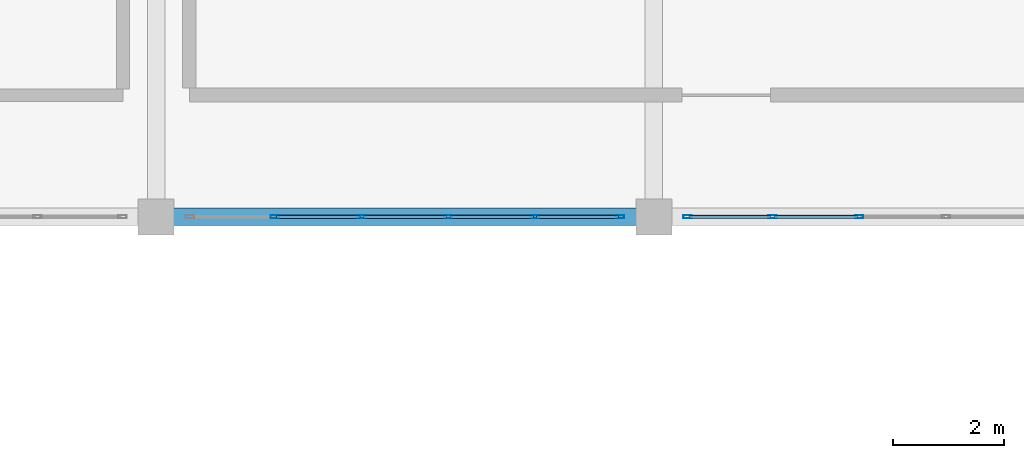
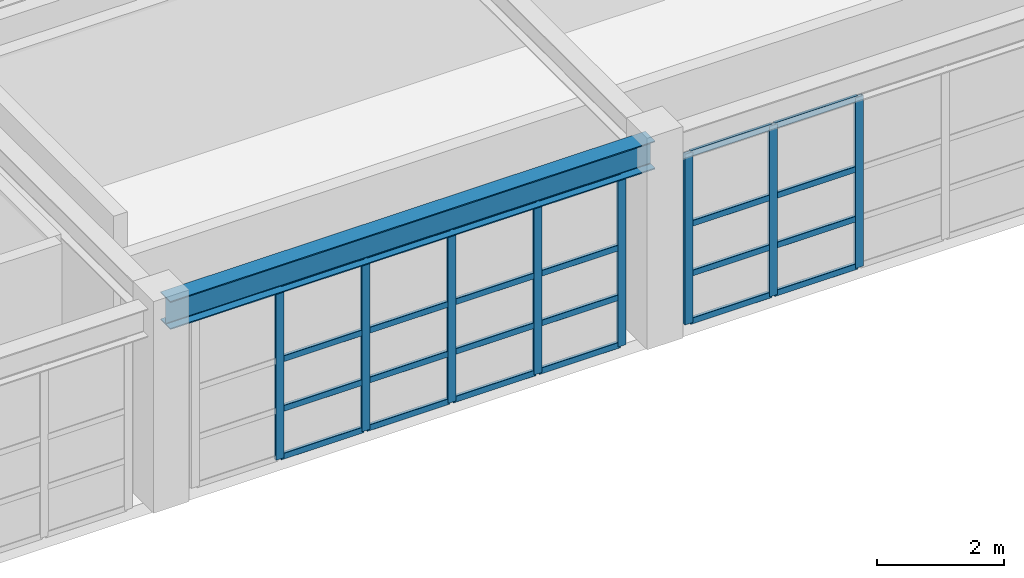
# One storey, part 67 of 110: 32 members, 1 beam, 2 elements without a shape of their own.
"""IFC4 building model written with IfcOpenShell, lengths in metres."""

from ifc_helpers import new_model, si_unit, direction, frame, origin, origin_2d, place, context, subcontext, project, spatial, hollow_rectangle, i_section, extrude, material, material_profile, profile_set, type_object, element, aggregate, save


model = new_model("IFC4")

# Units and contexts
model_context = context("Model", 3, precision=1e-05, world=origin(), true_north=direction((0.0, 1.0)))
body_context = subcontext(model_context, "Body", "Model", "MODEL_VIEW")
ifc_project = project(units=[si_unit("LENGTHUNIT", "METRE"), si_unit("AREAUNIT", "SQUARE_METRE"), si_unit("VOLUMEUNIT", "CUBIC_METRE"), si_unit("PLANEANGLEUNIT", "RADIAN"), si_unit("MASSUNIT", "GRAM", prefix="KILO")], contexts=[model_context])

# Site, building, storey
site_placement = place(None, origin())
site = spatial("IfcSite", under=ifc_project, at=site_placement, CompositionType="ELEMENT")
building_placement = place(site_placement, origin())
building = spatial("IfcBuilding", under=site, at=building_placement, Name="Miravela Opera House", CompositionType="ELEMENT")
storey_placement = place(building_placement, frame((0.0, 0.0, 13.60009765625)))
storey = spatial("IfcBuildingStorey", under=building, at=storey_placement, Name="L03", CompositionType="ELEMENT", Elevation=13.60009765625)

# Curtain wall, members
ifc_material_1 = material(Name="Anodised architectural bronze aluminium 6063-T6", Category="aluminium")
curtain_wall_type = type_object("IfcCurtainWallType", Name="ARC-CW-05", PredefinedType="NOTDEFINED", material=ifc_material_1)
curtain_wall_1_placement = place(storey_placement, origin())
curtain_wall_1 = element("IfcCurtainWall", 1, at=curtain_wall_1_placement, inside=storey, type_object=curtain_wall_type, Name="Courtyard Arcade Curtain Wall CW-L03-106", PredefinedType="NOTDEFINED")
ifc_material_profile_1 = material_profile(ifc_material_1, hollow_rectangle(XDim=0.06005859375, YDim=0.14990234375, WallThickness=0.00390625, InnerFilletRadius=0.001953125, OuterFilletRadius=0.00390625, at=origin_2d()), Name="CWM-60X150")
ifc_profile_set_1 = profile_set([ifc_material_profile_1])
member_type_1 = type_object("IfcMemberType", Name="ARC-CWM-150", PredefinedType="MULLION", material=ifc_profile_set_1)
member_1_placement = place(storey_placement, frame((47.14794921875, 103.0, 0.0), z_axis=(0.0, 0.0, 1.0), x_axis=(0.0, 1.0, 0.0)))
member_1 = element("IfcMember", 2, at=member_1_placement, type_object=member_type_1, Name="CW-05 mullion 2", PredefinedType="MULLION", context=body_context, shape_type="SweptSolid", body=[
    extrude(hollow_rectangle(XDim=0.06005859375, YDim=0.14990234375, WallThickness=0.00390625, InnerFilletRadius=0.001953125, OuterFilletRadius=0.00390625, at=origin_2d()), origin(), (0.0, 0.0, 1.0), 3.289794921875),
])
member_2_placement = place(storey_placement, frame((48.716064453125, 103.0, 0.0), z_axis=(0.0, 0.0, 1.0), x_axis=(0.0, 1.0, 0.0)))
member_2 = element("IfcMember", 3, at=member_2_placement, type_object=member_type_1, Name="CW-05 mullion 3", PredefinedType="MULLION", context=body_context, shape_type="SweptSolid", body=[
    extrude(hollow_rectangle(XDim=0.06005859375, YDim=0.14990234375, WallThickness=0.00390625, InnerFilletRadius=0.001953125, OuterFilletRadius=0.00390625, at=origin_2d()), origin(), (0.0, 0.0, 1.0), 3.289794921875),
])
member_3_placement = place(storey_placement, frame((50.283935546875, 103.0, 0.0), z_axis=(0.0, 0.0, 1.0), x_axis=(0.0, 1.0, 0.0)))
member_3 = element("IfcMember", 4, at=member_3_placement, type_object=member_type_1, Name="CW-05 mullion 4", PredefinedType="MULLION", context=body_context, shape_type="SweptSolid", body=[
    extrude(hollow_rectangle(XDim=0.06005859375, YDim=0.14990234375, WallThickness=0.00390625, InnerFilletRadius=0.001953125, OuterFilletRadius=0.00390625, at=origin_2d()), origin(), (0.0, 0.0, 1.0), 3.289794921875),
])
member_4_placement = place(storey_placement, frame((51.85205078125, 103.0, 0.0), z_axis=(0.0, 0.0, 1.0), x_axis=(0.0, 1.0, 0.0)))
member_4 = element("IfcMember", 5, at=member_4_placement, type_object=member_type_1, Name="CW-05 mullion 5", PredefinedType="MULLION", context=body_context, shape_type="SweptSolid", body=[
    extrude(hollow_rectangle(XDim=0.06005859375, YDim=0.14990234375, WallThickness=0.00390625, InnerFilletRadius=0.001953125, OuterFilletRadius=0.00390625, at=origin_2d()), origin(), (0.0, 0.0, 1.0), 3.289794921875),
])
member_5_placement = place(storey_placement, frame((53.389892578125, 103.0, 0.0), z_axis=(0.0, 0.0, 1.0), x_axis=(0.0, 1.0, 0.0)))
member_5 = element("IfcMember", 6, at=member_5_placement, type_object=member_type_1, Name="CW-05 mullion 6", PredefinedType="MULLION", context=body_context, shape_type="SweptSolid", body=[
    extrude(hollow_rectangle(XDim=0.06005859375, YDim=0.14990234375, WallThickness=0.00390625, InnerFilletRadius=0.001953125, OuterFilletRadius=0.00390625, at=origin_2d()), origin(), (0.0, 0.0, 1.0), 3.289794921875),
])

curtain_wall_2_placement = place(storey_placement, origin())
curtain_wall_2 = element("IfcCurtainWall", 7, at=curtain_wall_2_placement, inside=storey, type_object=curtain_wall_type, Name="Courtyard Arcade Curtain Wall CW-L03-108", PredefinedType="NOTDEFINED")
member_6_placement = place(storey_placement, frame((54.610107421875, 103.0, 0.0), z_axis=(0.0, 0.0, 1.0), x_axis=(0.0, 1.0, 0.0)))
member_6 = element("IfcMember", 8, at=member_6_placement, type_object=member_type_1, Name="CW-05 mullion 1", PredefinedType="MULLION", context=body_context, shape_type="SweptSolid", body=[
    extrude(hollow_rectangle(XDim=0.06005859375, YDim=0.14990234375, WallThickness=0.00390625, InnerFilletRadius=0.001953125, OuterFilletRadius=0.00390625, at=origin_2d()), origin(), (0.0, 0.0, 1.0), 3.289794921875),
])
member_7_placement = place(storey_placement, frame((56.14794921875, 103.0, 0.0), z_axis=(0.0, 0.0, 1.0), x_axis=(0.0, 1.0, 0.0)))
member_7 = element("IfcMember", 9, at=member_7_placement, type_object=member_type_1, Name="CW-05 mullion 2", PredefinedType="MULLION", context=body_context, shape_type="SweptSolid", body=[
    extrude(hollow_rectangle(XDim=0.06005859375, YDim=0.14990234375, WallThickness=0.00390625, InnerFilletRadius=0.001953125, OuterFilletRadius=0.00390625, at=origin_2d()), origin(), (0.0, 0.0, 1.0), 3.289794921875),
])
member_8_placement = place(storey_placement, frame((57.716064453125, 103.0, 0.0), z_axis=(0.0, 0.0, 1.0), x_axis=(0.0, 1.0, 0.0)))
member_8 = element("IfcMember", 10, at=member_8_placement, type_object=member_type_1, Name="CW-05 mullion 3", PredefinedType="MULLION", context=body_context, shape_type="SweptSolid", body=[
    extrude(hollow_rectangle(XDim=0.06005859375, YDim=0.14990234375, WallThickness=0.00390625, InnerFilletRadius=0.001953125, OuterFilletRadius=0.00390625, at=origin_2d()), origin(), (0.0, 0.0, 1.0), 3.289794921875),
])

# Member
ifc_material_profile_2 = material_profile(ifc_material_1, hollow_rectangle(XDim=0.06005859375, YDim=0.114990234375, WallThickness=0.00390625, InnerFilletRadius=0.001953125, OuterFilletRadius=0.00390625, at=origin_2d()), Name="CWT-60X115")
ifc_profile_set_2 = profile_set([ifc_material_profile_2])
member_type_2 = type_object("IfcMemberType", Name="ARC-CWT-115", PredefinedType="USERDEFINED", material=ifc_profile_set_2)
member_9_placement = place(storey_placement, frame((47.177978515625, 103.0, 0.02978515625), z_axis=(1.0, 0.0, 0.0), x_axis=(0.0, 1.0, 0.0)))
member_9 = element("IfcMember", 11, at=member_9_placement, type_object=member_type_2, Name="CW-05 transom 2.1", ObjectType="TRANSOM", PredefinedType="USERDEFINED", context=body_context, shape_type="SweptSolid", body=[
    extrude(hollow_rectangle(XDim=0.06005859375, YDim=0.114990234375, WallThickness=0.00390625, InnerFilletRadius=0.001953125, OuterFilletRadius=0.00390625, at=origin_2d()), origin(), (0.0, 0.0, 1.0), 1.508056640625),
])

member_10_placement = place(storey_placement, frame((47.177978515625, 103.0, 0.949951171875), z_axis=(1.0, 0.0, 0.0), x_axis=(0.0, 1.0, 0.0)))
member_10 = element("IfcMember", 12, at=member_10_placement, type_object=member_type_2, Name="CW-05 transom 2.2", ObjectType="TRANSOM", PredefinedType="USERDEFINED", context=body_context, shape_type="SweptSolid", body=[
    extrude(hollow_rectangle(XDim=0.06005859375, YDim=0.114990234375, WallThickness=0.00390625, InnerFilletRadius=0.001953125, OuterFilletRadius=0.00390625, at=origin_2d()), origin(), (0.0, 0.0, 1.0), 1.508056640625),
])

member_11_placement = place(storey_placement, frame((47.177978515625, 103.0, 1.908203125), z_axis=(1.0, 0.0, 0.0), x_axis=(0.0, 1.0, 0.0)))
member_11 = element("IfcMember", 13, at=member_11_placement, type_object=member_type_2, Name="CW-05 transom 2.3", ObjectType="TRANSOM", PredefinedType="USERDEFINED", context=body_context, shape_type="SweptSolid", body=[
    extrude(hollow_rectangle(XDim=0.06005859375, YDim=0.114990234375, WallThickness=0.00390625, InnerFilletRadius=0.001953125, OuterFilletRadius=0.00390625, at=origin_2d()), origin(), (0.0, 0.0, 1.0), 1.508056640625),
])

member_12_placement = place(storey_placement, frame((47.177978515625, 103.0, 3.260009765625), z_axis=(1.0, 0.0, 0.0), x_axis=(0.0, 1.0, 0.0)))
member_12 = element("IfcMember", 14, at=member_12_placement, type_object=member_type_2, Name="CW-05 transom 2.4", ObjectType="TRANSOM", PredefinedType="USERDEFINED", context=body_context, shape_type="SweptSolid", body=[
    extrude(hollow_rectangle(XDim=0.06005859375, YDim=0.114990234375, WallThickness=0.00390625, InnerFilletRadius=0.001953125, OuterFilletRadius=0.00390625, at=origin_2d()), origin(), (0.0, 0.0, 1.0), 1.508056640625),
])

member_13_placement = place(storey_placement, frame((48.74609375, 103.0, 0.02978515625), z_axis=(1.0, 0.0, 0.0), x_axis=(0.0, 1.0, 0.0)))
member_13 = element("IfcMember", 15, at=member_13_placement, type_object=member_type_2, Name="CW-05 transom 3.1", ObjectType="TRANSOM", PredefinedType="USERDEFINED", context=body_context, shape_type="SweptSolid", body=[
    extrude(hollow_rectangle(XDim=0.06005859375, YDim=0.114990234375, WallThickness=0.00390625, InnerFilletRadius=0.001953125, OuterFilletRadius=0.00390625, at=origin_2d()), origin(), (0.0, 0.0, 1.0), 1.5078125),
])

member_14_placement = place(storey_placement, frame((48.74609375, 103.0, 0.949951171875), z_axis=(1.0, 0.0, 0.0), x_axis=(0.0, 1.0, 0.0)))
member_14 = element("IfcMember", 16, at=member_14_placement, type_object=member_type_2, Name="CW-05 transom 3.2", ObjectType="TRANSOM", PredefinedType="USERDEFINED", context=body_context, shape_type="SweptSolid", body=[
    extrude(hollow_rectangle(XDim=0.06005859375, YDim=0.114990234375, WallThickness=0.00390625, InnerFilletRadius=0.001953125, OuterFilletRadius=0.00390625, at=origin_2d()), origin(), (0.0, 0.0, 1.0), 1.5078125),
])

member_15_placement = place(storey_placement, frame((48.74609375, 103.0, 1.908203125), z_axis=(1.0, 0.0, 0.0), x_axis=(0.0, 1.0, 0.0)))
member_15 = element("IfcMember", 17, at=member_15_placement, type_object=member_type_2, Name="CW-05 transom 3.3", ObjectType="TRANSOM", PredefinedType="USERDEFINED", context=body_context, shape_type="SweptSolid", body=[
    extrude(hollow_rectangle(XDim=0.06005859375, YDim=0.114990234375, WallThickness=0.00390625, InnerFilletRadius=0.001953125, OuterFilletRadius=0.00390625, at=origin_2d()), origin(), (0.0, 0.0, 1.0), 1.5078125),
])

member_16_placement = place(storey_placement, frame((48.74609375, 103.0, 3.260009765625), z_axis=(1.0, 0.0, 0.0), x_axis=(0.0, 1.0, 0.0)))
member_16 = element("IfcMember", 18, at=member_16_placement, type_object=member_type_2, Name="CW-05 transom 3.4", ObjectType="TRANSOM", PredefinedType="USERDEFINED", context=body_context, shape_type="SweptSolid", body=[
    extrude(hollow_rectangle(XDim=0.06005859375, YDim=0.114990234375, WallThickness=0.00390625, InnerFilletRadius=0.001953125, OuterFilletRadius=0.00390625, at=origin_2d()), origin(), (0.0, 0.0, 1.0), 1.5078125),
])

member_17_placement = place(storey_placement, frame((50.31396484375, 103.0, 0.02978515625), z_axis=(1.0, 0.0, 0.0), x_axis=(0.0, 1.0, 0.0)))
member_17 = element("IfcMember", 19, at=member_17_placement, type_object=member_type_2, Name="CW-05 transom 4.1", ObjectType="TRANSOM", PredefinedType="USERDEFINED", context=body_context, shape_type="SweptSolid", body=[
    extrude(hollow_rectangle(XDim=0.06005859375, YDim=0.114990234375, WallThickness=0.00390625, InnerFilletRadius=0.001953125, OuterFilletRadius=0.00390625, at=origin_2d()), origin(), (0.0, 0.0, 1.0), 1.508056640625),
])

member_18_placement = place(storey_placement, frame((50.31396484375, 103.0, 0.949951171875), z_axis=(1.0, 0.0, 0.0), x_axis=(0.0, 1.0, 0.0)))
member_18 = element("IfcMember", 20, at=member_18_placement, type_object=member_type_2, Name="CW-05 transom 4.2", ObjectType="TRANSOM", PredefinedType="USERDEFINED", context=body_context, shape_type="SweptSolid", body=[
    extrude(hollow_rectangle(XDim=0.06005859375, YDim=0.114990234375, WallThickness=0.00390625, InnerFilletRadius=0.001953125, OuterFilletRadius=0.00390625, at=origin_2d()), origin(), (0.0, 0.0, 1.0), 1.508056640625),
])

member_19_placement = place(storey_placement, frame((50.31396484375, 103.0, 1.908203125), z_axis=(1.0, 0.0, 0.0), x_axis=(0.0, 1.0, 0.0)))
member_19 = element("IfcMember", 21, at=member_19_placement, type_object=member_type_2, Name="CW-05 transom 4.3", ObjectType="TRANSOM", PredefinedType="USERDEFINED", context=body_context, shape_type="SweptSolid", body=[
    extrude(hollow_rectangle(XDim=0.06005859375, YDim=0.114990234375, WallThickness=0.00390625, InnerFilletRadius=0.001953125, OuterFilletRadius=0.00390625, at=origin_2d()), origin(), (0.0, 0.0, 1.0), 1.508056640625),
])

member_20_placement = place(storey_placement, frame((50.31396484375, 103.0, 3.260009765625), z_axis=(1.0, 0.0, 0.0), x_axis=(0.0, 1.0, 0.0)))
member_20 = element("IfcMember", 22, at=member_20_placement, type_object=member_type_2, Name="CW-05 transom 4.4", ObjectType="TRANSOM", PredefinedType="USERDEFINED", context=body_context, shape_type="SweptSolid", body=[
    extrude(hollow_rectangle(XDim=0.06005859375, YDim=0.114990234375, WallThickness=0.00390625, InnerFilletRadius=0.001953125, OuterFilletRadius=0.00390625, at=origin_2d()), origin(), (0.0, 0.0, 1.0), 1.508056640625),
])

member_21_placement = place(storey_placement, frame((51.882080078125, 103.0, 0.02978515625), z_axis=(1.0, 0.0, 0.0), x_axis=(0.0, 1.0, 0.0)))
member_21 = element("IfcMember", 23, at=member_21_placement, type_object=member_type_2, Name="CW-05 transom 5.1", ObjectType="TRANSOM", PredefinedType="USERDEFINED", context=body_context, shape_type="SweptSolid", body=[
    extrude(hollow_rectangle(XDim=0.06005859375, YDim=0.114990234375, WallThickness=0.00390625, InnerFilletRadius=0.001953125, OuterFilletRadius=0.00390625, at=origin_2d()), origin(), (0.0, 0.0, 1.0), 1.47802734375),
])

member_22_placement = place(storey_placement, frame((51.882080078125, 103.0, 0.949951171875), z_axis=(1.0, 0.0, 0.0), x_axis=(0.0, 1.0, 0.0)))
member_22 = element("IfcMember", 24, at=member_22_placement, type_object=member_type_2, Name="CW-05 transom 5.2", ObjectType="TRANSOM", PredefinedType="USERDEFINED", context=body_context, shape_type="SweptSolid", body=[
    extrude(hollow_rectangle(XDim=0.06005859375, YDim=0.114990234375, WallThickness=0.00390625, InnerFilletRadius=0.001953125, OuterFilletRadius=0.00390625, at=origin_2d()), origin(), (0.0, 0.0, 1.0), 1.47802734375),
])

member_23_placement = place(storey_placement, frame((51.882080078125, 103.0, 1.908203125), z_axis=(1.0, 0.0, 0.0), x_axis=(0.0, 1.0, 0.0)))
member_23 = element("IfcMember", 25, at=member_23_placement, type_object=member_type_2, Name="CW-05 transom 5.3", ObjectType="TRANSOM", PredefinedType="USERDEFINED", context=body_context, shape_type="SweptSolid", body=[
    extrude(hollow_rectangle(XDim=0.06005859375, YDim=0.114990234375, WallThickness=0.00390625, InnerFilletRadius=0.001953125, OuterFilletRadius=0.00390625, at=origin_2d()), origin(), (0.0, 0.0, 1.0), 1.47802734375),
])

member_24_placement = place(storey_placement, frame((51.882080078125, 103.0, 3.260009765625), z_axis=(1.0, 0.0, 0.0), x_axis=(0.0, 1.0, 0.0)))
member_24 = element("IfcMember", 26, at=member_24_placement, type_object=member_type_2, Name="CW-05 transom 5.4", ObjectType="TRANSOM", PredefinedType="USERDEFINED", context=body_context, shape_type="SweptSolid", body=[
    extrude(hollow_rectangle(XDim=0.06005859375, YDim=0.114990234375, WallThickness=0.00390625, InnerFilletRadius=0.001953125, OuterFilletRadius=0.00390625, at=origin_2d()), origin(), (0.0, 0.0, 1.0), 1.47802734375),
])

aggregate(curtain_wall_1, [member_1, member_2, member_3, member_4, member_5, member_9, member_10, member_11, member_12, member_13, member_14, member_15, member_16, member_17, member_18, member_19, member_20, member_21, member_22, member_23, member_24])

member_25_placement = place(storey_placement, frame((54.639892578125, 103.0, 0.02978515625), z_axis=(1.0, 0.0, 0.0), x_axis=(0.0, 1.0, 0.0)))
member_25 = element("IfcMember", 27, at=member_25_placement, type_object=member_type_2, Name="CW-05 transom 1.1", ObjectType="TRANSOM", PredefinedType="USERDEFINED", context=body_context, shape_type="SweptSolid", body=[
    extrude(hollow_rectangle(XDim=0.06005859375, YDim=0.114990234375, WallThickness=0.00390625, InnerFilletRadius=0.001953125, OuterFilletRadius=0.00390625, at=origin_2d()), origin(), (0.0, 0.0, 1.0), 1.47802734375),
])

member_26_placement = place(storey_placement, frame((54.639892578125, 103.0, 0.949951171875), z_axis=(1.0, 0.0, 0.0), x_axis=(0.0, 1.0, 0.0)))
member_26 = element("IfcMember", 28, at=member_26_placement, type_object=member_type_2, Name="CW-05 transom 1.2", ObjectType="TRANSOM", PredefinedType="USERDEFINED", context=body_context, shape_type="SweptSolid", body=[
    extrude(hollow_rectangle(XDim=0.06005859375, YDim=0.114990234375, WallThickness=0.00390625, InnerFilletRadius=0.001953125, OuterFilletRadius=0.00390625, at=origin_2d()), origin(), (0.0, 0.0, 1.0), 1.47802734375),
])

member_27_placement = place(storey_placement, frame((54.639892578125, 103.0, 1.908203125), z_axis=(1.0, 0.0, 0.0), x_axis=(0.0, 1.0, 0.0)))
member_27 = element("IfcMember", 29, at=member_27_placement, type_object=member_type_2, Name="CW-05 transom 1.3", ObjectType="TRANSOM", PredefinedType="USERDEFINED", context=body_context, shape_type="SweptSolid", body=[
    extrude(hollow_rectangle(XDim=0.06005859375, YDim=0.114990234375, WallThickness=0.00390625, InnerFilletRadius=0.001953125, OuterFilletRadius=0.00390625, at=origin_2d()), origin(), (0.0, 0.0, 1.0), 1.47802734375),
])

member_28_placement = place(storey_placement, frame((54.639892578125, 103.0, 3.260009765625), z_axis=(1.0, 0.0, 0.0), x_axis=(0.0, 1.0, 0.0)))
member_28 = element("IfcMember", 30, at=member_28_placement, type_object=member_type_2, Name="CW-05 transom 1.4", ObjectType="TRANSOM", PredefinedType="USERDEFINED", context=body_context, shape_type="SweptSolid", body=[
    extrude(hollow_rectangle(XDim=0.06005859375, YDim=0.114990234375, WallThickness=0.00390625, InnerFilletRadius=0.001953125, OuterFilletRadius=0.00390625, at=origin_2d()), origin(), (0.0, 0.0, 1.0), 1.47802734375),
])

member_29_placement = place(storey_placement, frame((56.177978515625, 103.0, 0.02978515625), z_axis=(1.0, 0.0, 0.0), x_axis=(0.0, 1.0, 0.0)))
member_29 = element("IfcMember", 31, at=member_29_placement, type_object=member_type_2, Name="CW-05 transom 2.1", ObjectType="TRANSOM", PredefinedType="USERDEFINED", context=body_context, shape_type="SweptSolid", body=[
    extrude(hollow_rectangle(XDim=0.06005859375, YDim=0.114990234375, WallThickness=0.00390625, InnerFilletRadius=0.001953125, OuterFilletRadius=0.00390625, at=origin_2d()), origin(), (0.0, 0.0, 1.0), 1.508056640625),
])

member_30_placement = place(storey_placement, frame((56.177978515625, 103.0, 0.949951171875), z_axis=(1.0, 0.0, 0.0), x_axis=(0.0, 1.0, 0.0)))
member_30 = element("IfcMember", 32, at=member_30_placement, type_object=member_type_2, Name="CW-05 transom 2.2", ObjectType="TRANSOM", PredefinedType="USERDEFINED", context=body_context, shape_type="SweptSolid", body=[
    extrude(hollow_rectangle(XDim=0.06005859375, YDim=0.114990234375, WallThickness=0.00390625, InnerFilletRadius=0.001953125, OuterFilletRadius=0.00390625, at=origin_2d()), origin(), (0.0, 0.0, 1.0), 1.508056640625),
])

member_31_placement = place(storey_placement, frame((56.177978515625, 103.0, 1.908203125), z_axis=(1.0, 0.0, 0.0), x_axis=(0.0, 1.0, 0.0)))
member_31 = element("IfcMember", 33, at=member_31_placement, type_object=member_type_2, Name="CW-05 transom 2.3", ObjectType="TRANSOM", PredefinedType="USERDEFINED", context=body_context, shape_type="SweptSolid", body=[
    extrude(hollow_rectangle(XDim=0.06005859375, YDim=0.114990234375, WallThickness=0.00390625, InnerFilletRadius=0.001953125, OuterFilletRadius=0.00390625, at=origin_2d()), origin(), (0.0, 0.0, 1.0), 1.508056640625),
])

member_32_placement = place(storey_placement, frame((56.177978515625, 103.0, 3.260009765625), z_axis=(1.0, 0.0, 0.0), x_axis=(0.0, 1.0, 0.0)))
member_32 = element("IfcMember", 34, at=member_32_placement, type_object=member_type_2, Name="CW-05 transom 2.4", ObjectType="TRANSOM", PredefinedType="USERDEFINED", context=body_context, shape_type="SweptSolid", body=[
    extrude(hollow_rectangle(XDim=0.06005859375, YDim=0.114990234375, WallThickness=0.00390625, InnerFilletRadius=0.001953125, OuterFilletRadius=0.00390625, at=origin_2d()), origin(), (0.0, 0.0, 1.0), 1.508056640625),
])

aggregate(curtain_wall_2, [member_6, member_7, member_8, member_25, member_26, member_27, member_28, member_29, member_30, member_31, member_32])

# Beam
ifc_material_2 = material(Name="Structural steel ASTM A992 Gr. 50", Category="steel")
ifc_material_profile_3 = material_profile(ifc_material_2, i_section(OverallWidth=0.31201171875, OverallDepth=0.54296875, WebThickness=0.0126953125, FlangeThickness=0.020263671875, FilletRadius=0.01611328125, at=origin_2d()), Name="W530X150")
ifc_profile_set_3 = profile_set([ifc_material_profile_3])
beam_type = type_object("IfcBeamType", Name="STR-BM-W530X150", PredefinedType="BEAM", material=ifc_profile_set_3)
beam_placement = place(storey_placement, frame((45.080078125, 103.0, 3.568359375), z_axis=(1.0, 0.0, 0.0), x_axis=(0.0, 1.0, 0.0)))
element("IfcBeam", 35, at=beam_placement, inside=storey, type_object=beam_type, Name="Roof Eave Girder ROOF-V3-WEST-N S4", PredefinedType="BEAM", context=body_context, shape_type="SweptSolid", body=[
    extrude(i_section(OverallWidth=0.31201171875, OverallDepth=0.54296875, WebThickness=0.0126953125, FlangeThickness=0.020263671875, FilletRadius=0.01611328125, at=origin_2d()), origin(), (0.0, 0.0, 1.0), 8.83984375),
])

save(model, "model.ifc")
